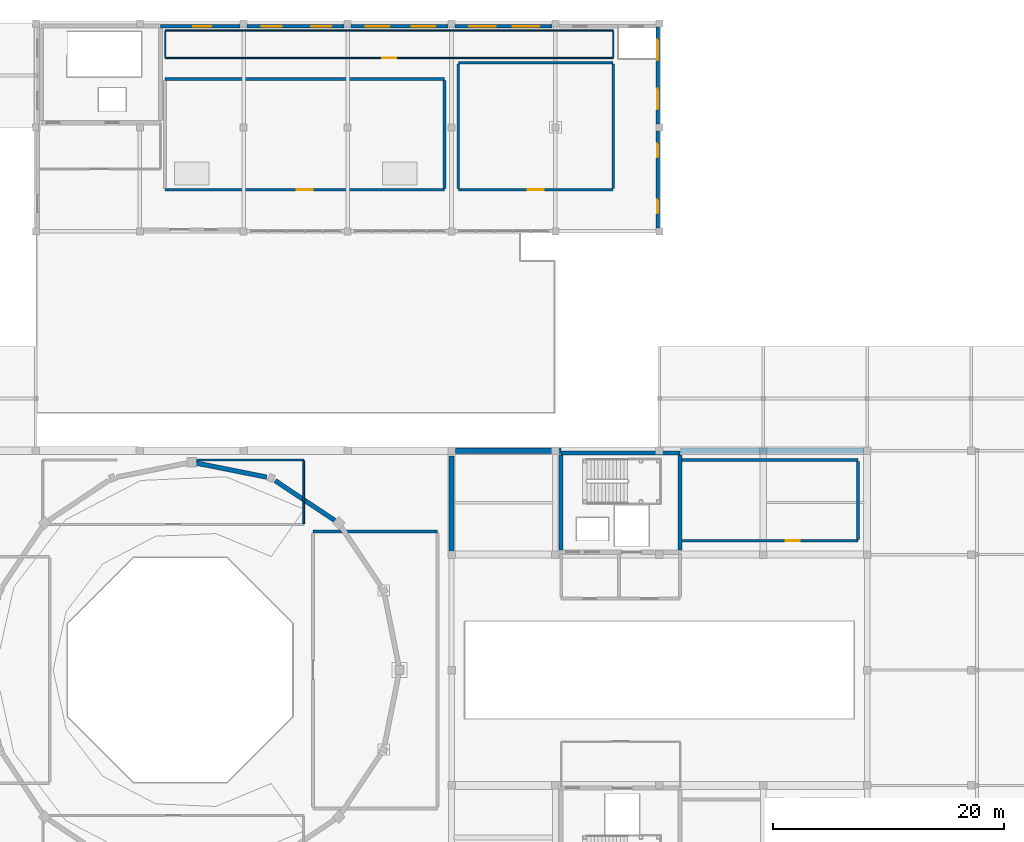
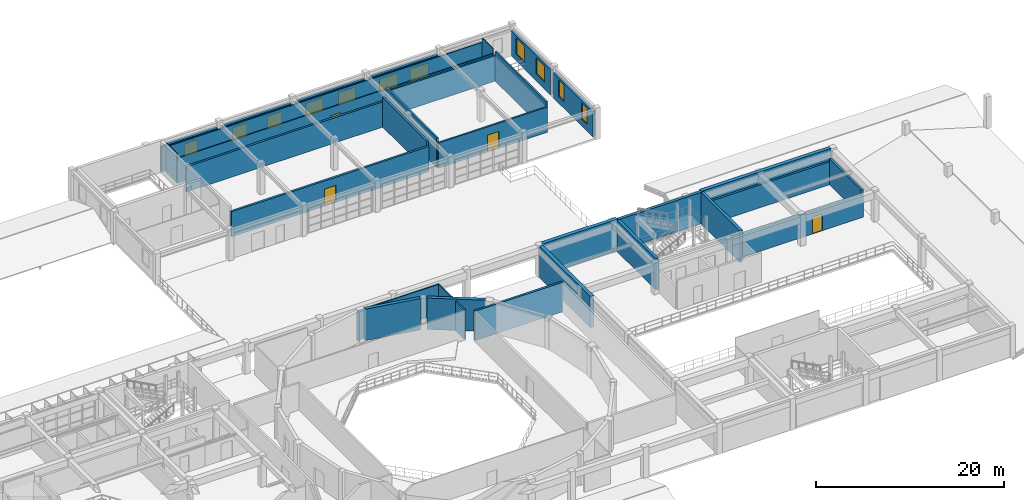
# One storey, part 72 of 80: 31 walls, 11 windows, 4 doors, 15 openings.
"""IFC4 building model written with IfcOpenShell, lengths in metres."""

from ifc_helpers import new_model, si_unit, direction, frame, frame_2d, origin, place, context, subcontext, project, spatial, rectangle, extrude, material, layer, layer_set, type_object, element, fill, save


model = new_model("IFC4")

# Units and contexts
model_context = context("Model", 3, precision=1e-05, world=origin(), true_north=direction((0.0, 1.0)))
body_context = subcontext(model_context, "Body", "Model", "MODEL_VIEW")
ifc_project = project(units=[si_unit("LENGTHUNIT", "METRE"), si_unit("AREAUNIT", "SQUARE_METRE"), si_unit("VOLUMEUNIT", "CUBIC_METRE"), si_unit("PLANEANGLEUNIT", "RADIAN"), si_unit("MASSUNIT", "GRAM", prefix="KILO")], contexts=[model_context])

# Site, building, storey
site_placement = place(None, origin())
site = spatial("IfcSite", under=ifc_project, at=site_placement, CompositionType="ELEMENT")
building_placement = place(site_placement, origin())
building = spatial("IfcBuilding", under=site, at=building_placement, Name="Miravela Opera House", CompositionType="ELEMENT")
storey_placement = place(building_placement, frame((0.0, 0.0, 17.679931640625)))
storey = spatial("IfcBuildingStorey", under=building, at=storey_placement, Name="L04", CompositionType="ELEMENT", Elevation=17.679931640625)

# Wall, opening, window
ifc_material_1 = material(Name="Insulated cream lime-stuccoed masonry", Category="masonry")
ifc_layer_1 = layer(ifc_material_1, 0.2900390625)
ifc_layer_set_1 = layer_set([ifc_layer_1])
wall_type_1 = type_object("IfcWallType", Name="ARC-EW-STUCCO-290", PredefinedType="STANDARD", material=ifc_layer_set_1)
wall_1_placement = place(storey_placement, frame((73.800048828125, 111.75, 0.0), z_axis=(0.0, 0.0, 1.0), x_axis=(1.0, 0.0, 0.0)))
wall_1 = element("IfcWall", 1, at=wall_1_placement, inside=storey, type_object=wall_type_1, Name="Spanish Colonial Stucco Facade Wall L04-053", PredefinedType="STANDARD", context=body_context, shape_type="SweptSolid", body=[
    extrude(rectangle(XDim=6.89990234375, YDim=0.2900390625, at=frame_2d((3.449951171875, 0.0))), origin(), (0.0, 0.0, 1.0), 3.277099609375),
])
opening_1_placement = place(wall_1_placement, frame((2.844970703125, 0.0, 0.89990234375)))
opening_1 = element("IfcOpeningElement", 2, at=opening_1_placement, cuts=wall_1, Name="Opening W-31", PredefinedType="OPENING", context=body_context, shape_type="SweptSolid", body=[
    extrude(rectangle(XDim=1.56005859375, YDim=1.719970703125, at=frame_2d((0.780029296875, 0.85986328125))), frame((0.0, 0.155029296875, 0.0), z_axis=(0.0, -1.0, 0.0), x_axis=(1.0, 0.0, 0.0)), (0.0, 0.0, 1.0), 0.31005859375),
])
ifc_material_2 = material(Name="Bronze-anodised aluminium and acoustic low-E glass", Category="aluminium")
window_type_1 = type_object("IfcWindowType", Name="ARC-WIN-31", PartitioningType="DOUBLE_PANEL_VERTICAL", PredefinedType="WINDOW", material=ifc_material_2)
window_1_placement = place(opening_1_placement, origin())
window_1 = element("IfcWindow", 3, at=window_1_placement, inside=storey, type_object=window_type_1, Name="Window W-31 #126", OverallHeight=1.719970703125, OverallWidth=1.56005859375, PartitioningType="DOUBLE_PANEL_VERTICAL", PredefinedType="WINDOW", context=body_context, shape_type="SweptSolid", body=[
    extrude(rectangle(XDim=1.56005859375, YDim=1.719970703125, at=frame_2d((0.780029296875, 0.85986328125))), frame((0.0, 0.030029296875, 0.0), z_axis=(0.0, -1.0, 0.0), x_axis=(1.0, 0.0, 0.0)), (0.0, 0.0, 1.0), 0.06005859375),
])
fill(opening_1, window_1)

# Wall, openings, windows
wall_2_placement = place(storey_placement, frame((81.300048828125, 111.75, 0.0), z_axis=(0.0, 0.0, 1.0), x_axis=(1.0, 0.0, 0.0)))
wall_2 = element("IfcWall", 4, at=wall_2_placement, inside=storey, type_object=wall_type_1, Name="Spanish Colonial Stucco Facade Wall L04-054", PredefinedType="STANDARD", context=body_context, shape_type="SweptSolid", body=[
    extrude(rectangle(XDim=8.39990234375, YDim=0.2900390625, at=frame_2d((4.199951171875, 0.0))), origin(), (0.0, 0.0, 1.0), 3.277099609375),
])
opening_2_placement = place(wall_2_placement, frame((1.25, 0.0, 0.89990234375)))
opening_2 = element("IfcOpeningElement", 5, at=opening_2_placement, cuts=wall_2, Name="Opening W-32", PredefinedType="OPENING", context=body_context, shape_type="SweptSolid", body=[
    extrude(rectangle(XDim=1.760009765625, YDim=1.719970703125, at=frame_2d((0.8798828125, 0.85986328125))), frame((0.0, 0.155029296875, 0.0), z_axis=(0.0, -1.0, 0.0), x_axis=(1.0, 0.0, 0.0)), (0.0, 0.0, 1.0), 0.31005859375),
])
opening_3_placement = place(wall_2_placement, frame((5.5400390625, 0.0, 0.89990234375)))
opening_3 = element("IfcOpeningElement", 6, at=opening_3_placement, cuts=wall_2, Name="Opening W-32", PredefinedType="OPENING", context=body_context, shape_type="SweptSolid", body=[
    extrude(rectangle(XDim=1.760009765625, YDim=1.719970703125, at=frame_2d((0.8798828125, 0.85986328125))), frame((0.0, 0.155029296875, 0.0), z_axis=(0.0, -1.0, 0.0), x_axis=(1.0, 0.0, 0.0)), (0.0, 0.0, 1.0), 0.31005859375),
])
window_type_2 = type_object("IfcWindowType", Name="ARC-WIN-32", PartitioningType="DOUBLE_PANEL_VERTICAL", PredefinedType="WINDOW", material=ifc_material_2)
window_2_placement = place(opening_2_placement, origin())
window_2 = element("IfcWindow", 7, at=window_2_placement, inside=storey, type_object=window_type_2, Name="Window W-32 #127", OverallHeight=1.719970703125, OverallWidth=1.760009765625, PartitioningType="DOUBLE_PANEL_VERTICAL", PredefinedType="WINDOW", context=body_context, shape_type="SweptSolid", body=[
    extrude(rectangle(XDim=1.760009765625, YDim=1.719970703125, at=frame_2d((0.8798828125, 0.85986328125))), frame((0.0, 0.030029296875, 0.0), z_axis=(0.0, -1.0, 0.0), x_axis=(1.0, 0.0, 0.0)), (0.0, 0.0, 1.0), 0.06005859375),
])
fill(opening_2, window_2)
window_3_placement = place(opening_3_placement, origin())
window_3 = element("IfcWindow", 8, at=window_3_placement, inside=storey, type_object=window_type_2, Name="Window W-32 #128", OverallHeight=1.719970703125, OverallWidth=1.760009765625, PartitioningType="DOUBLE_PANEL_VERTICAL", PredefinedType="WINDOW", context=body_context, shape_type="SweptSolid", body=[
    extrude(rectangle(XDim=1.760009765625, YDim=1.719970703125, at=frame_2d((0.8798828125, 0.85986328125))), frame((0.0, 0.030029296875, 0.0), z_axis=(0.0, -1.0, 0.0), x_axis=(1.0, 0.0, 0.0)), (0.0, 0.0, 1.0), 0.06005859375),
])
fill(opening_3, window_3)

wall_3_placement = place(storey_placement, frame((90.300048828125, 111.75, 0.0), z_axis=(0.0, 0.0, 1.0), x_axis=(1.0, 0.0, 0.0)))
wall_3 = element("IfcWall", 9, at=wall_3_placement, inside=storey, type_object=wall_type_1, Name="Spanish Colonial Stucco Facade Wall L04-055", PredefinedType="STANDARD", context=body_context, shape_type="SweptSolid", body=[
    extrude(rectangle(XDim=8.39990234375, YDim=0.2900390625, at=frame_2d((4.199951171875, 0.0))), origin(), (0.0, 0.0, 1.0), 3.277099609375),
])
opening_4_placement = place(wall_3_placement, frame((1.25, 0.0, 0.89990234375)))
opening_4 = element("IfcOpeningElement", 10, at=opening_4_placement, cuts=wall_3, Name="Opening W-33", PredefinedType="OPENING", context=body_context, shape_type="SweptSolid", body=[
    extrude(rectangle(XDim=2.06005859375, YDim=1.719970703125, at=frame_2d((1.030029296875, 0.85986328125))), frame((0.0, 0.155029296875, 0.0), z_axis=(0.0, -1.0, 0.0), x_axis=(1.0, 0.0, 0.0)), (0.0, 0.0, 1.0), 0.31005859375),
])
opening_5_placement = place(wall_3_placement, frame((5.239990234375, 0.0, 0.89990234375)))
opening_5 = element("IfcOpeningElement", 11, at=opening_5_placement, cuts=wall_3, Name="Opening W-33", PredefinedType="OPENING", context=body_context, shape_type="SweptSolid", body=[
    extrude(rectangle(XDim=2.06005859375, YDim=1.719970703125, at=frame_2d((1.030029296875, 0.85986328125))), frame((0.0, 0.155029296875, 0.0), z_axis=(0.0, -1.0, 0.0), x_axis=(1.0, 0.0, 0.0)), (0.0, 0.0, 1.0), 0.31005859375),
])
window_type_3 = type_object("IfcWindowType", Name="ARC-WIN-33", PartitioningType="DOUBLE_PANEL_VERTICAL", PredefinedType="WINDOW", material=ifc_material_2)
window_4_placement = place(opening_4_placement, origin())
window_4 = element("IfcWindow", 12, at=window_4_placement, inside=storey, type_object=window_type_3, Name="Window W-33 #129", OverallHeight=1.719970703125, OverallWidth=2.06005859375, PartitioningType="DOUBLE_PANEL_VERTICAL", PredefinedType="WINDOW", context=body_context, shape_type="SweptSolid", body=[
    extrude(rectangle(XDim=2.06005859375, YDim=1.719970703125, at=frame_2d((1.030029296875, 0.85986328125))), frame((0.0, 0.030029296875, 0.0), z_axis=(0.0, -1.0, 0.0), x_axis=(1.0, 0.0, 0.0)), (0.0, 0.0, 1.0), 0.06005859375),
])
fill(opening_4, window_4)
window_5_placement = place(opening_5_placement, origin())
window_5 = element("IfcWindow", 13, at=window_5_placement, inside=storey, type_object=window_type_3, Name="Window W-33 #130", OverallHeight=1.719970703125, OverallWidth=2.06005859375, PartitioningType="DOUBLE_PANEL_VERTICAL", PredefinedType="WINDOW", context=body_context, shape_type="SweptSolid", body=[
    extrude(rectangle(XDim=2.06005859375, YDim=1.719970703125, at=frame_2d((1.030029296875, 0.85986328125))), frame((0.0, 0.030029296875, 0.0), z_axis=(0.0, -1.0, 0.0), x_axis=(1.0, 0.0, 0.0)), (0.0, 0.0, 1.0), 0.06005859375),
])
fill(opening_5, window_5)

wall_4_placement = place(storey_placement, frame((99.300048828125, 111.75, 0.0), z_axis=(0.0, 0.0, 1.0), x_axis=(1.0, 0.0, 0.0)))
wall_4 = element("IfcWall", 14, at=wall_4_placement, inside=storey, type_object=wall_type_1, Name="Spanish Colonial Stucco Facade Wall L04-056", PredefinedType="STANDARD", context=body_context, shape_type="SweptSolid", body=[
    extrude(rectangle(XDim=8.39990234375, YDim=0.2900390625, at=frame_2d((4.199951171875, 0.0))), origin(), (0.0, 0.0, 1.0), 3.277099609375),
])
opening_6_placement = place(wall_4_placement, frame((1.25, 0.0, 0.89990234375)))
opening_6 = element("IfcOpeningElement", 15, at=opening_6_placement, cuts=wall_4, Name="Opening W-34", PredefinedType="OPENING", context=body_context, shape_type="SweptSolid", body=[
    extrude(rectangle(XDim=2.280029296875, YDim=1.719970703125, at=frame_2d((1.14013671875, 0.85986328125))), frame((0.0, 0.155029296875, 0.0), z_axis=(0.0, -1.0, 0.0), x_axis=(1.0, 0.0, 0.0)), (0.0, 0.0, 1.0), 0.31005859375),
])
opening_7_placement = place(wall_4_placement, frame((5.02001953125, 0.0, 0.89990234375)))
opening_7 = element("IfcOpeningElement", 16, at=opening_7_placement, cuts=wall_4, Name="Opening W-34", PredefinedType="OPENING", context=body_context, shape_type="SweptSolid", body=[
    extrude(rectangle(XDim=2.280029296875, YDim=1.719970703125, at=frame_2d((1.14013671875, 0.85986328125))), frame((0.0, 0.155029296875, 0.0), z_axis=(0.0, -1.0, 0.0), x_axis=(1.0, 0.0, 0.0)), (0.0, 0.0, 1.0), 0.31005859375),
])
window_type_4 = type_object("IfcWindowType", Name="ARC-WIN-34", PartitioningType="TRIPLE_PANEL_VERTICAL", PredefinedType="WINDOW", material=ifc_material_2)
window_6_placement = place(opening_6_placement, origin())
window_6 = element("IfcWindow", 17, at=window_6_placement, inside=storey, type_object=window_type_4, Name="Window W-34 #131", OverallHeight=1.719970703125, OverallWidth=2.280029296875, PartitioningType="TRIPLE_PANEL_VERTICAL", PredefinedType="WINDOW", context=body_context, shape_type="SweptSolid", body=[
    extrude(rectangle(XDim=2.280029296875, YDim=1.719970703125, at=frame_2d((1.14013671875, 0.85986328125))), frame((0.0, 0.030029296875, 0.0), z_axis=(0.0, -1.0, 0.0), x_axis=(1.0, 0.0, 0.0)), (0.0, 0.0, 1.0), 0.06005859375),
])
fill(opening_6, window_6)
window_7_placement = place(opening_7_placement, origin())
window_7 = element("IfcWindow", 18, at=window_7_placement, inside=storey, type_object=window_type_4, Name="Window W-34 #132", OverallHeight=1.719970703125, OverallWidth=2.280029296875, PartitioningType="TRIPLE_PANEL_VERTICAL", PredefinedType="WINDOW", context=body_context, shape_type="SweptSolid", body=[
    extrude(rectangle(XDim=2.280029296875, YDim=1.719970703125, at=frame_2d((1.14013671875, 0.85986328125))), frame((0.0, 0.030029296875, 0.0), z_axis=(0.0, -1.0, 0.0), x_axis=(1.0, 0.0, 0.0)), (0.0, 0.0, 1.0), 0.06005859375),
])
fill(opening_7, window_7)

wall_5_placement = place(storey_placement, frame((116.85009765625, 94.300048828125, 0.0), z_axis=(0.0, 0.0, 1.0), x_axis=(0.0, 1.0, 0.0)))
wall_5 = element("IfcWall", 19, at=wall_5_placement, inside=storey, type_object=wall_type_1, Name="Spanish Colonial Stucco Facade Wall L04-059", PredefinedType="STANDARD", context=body_context, shape_type="SweptSolid", body=[
    extrude(rectangle(XDim=8.39990234375, YDim=0.2900390625, at=frame_2d((4.199951171875, 0.0))), origin(), (0.0, 0.0, 1.0), 3.277099609375),
])
opening_8_placement = place(wall_5_placement, frame((1.25, 0.0, 0.89990234375)))
opening_8 = element("IfcOpeningElement", 20, at=opening_8_placement, cuts=wall_5, Name="Opening W-01", PredefinedType="OPENING", context=body_context, shape_type="SweptSolid", body=[
    extrude(rectangle(XDim=1.199951171875, YDim=2.10009765625, at=frame_2d((0.60009765625, 1.050048828125))), frame((0.0, 0.155029296875, 0.0), z_axis=(0.0, -1.0, 0.0), x_axis=(1.0, 0.0, 0.0)), (0.0, 0.0, 1.0), 0.31005859375),
])
opening_9_placement = place(wall_5_placement, frame((6.10009765625, 0.0, 0.89990234375)))
opening_9 = element("IfcOpeningElement", 21, at=opening_9_placement, cuts=wall_5, Name="Opening W-01", PredefinedType="OPENING", context=body_context, shape_type="SweptSolid", body=[
    extrude(rectangle(XDim=1.199951171875, YDim=2.10009765625, at=frame_2d((0.60009765625, 1.050048828125))), frame((0.0, 0.155029296875, 0.0), z_axis=(0.0, -1.0, 0.0), x_axis=(1.0, 0.0, 0.0)), (0.0, 0.0, 1.0), 0.31005859375),
])
window_type_5 = type_object("IfcWindowType", Name="ARC-WIN-01", PartitioningType="SINGLE_PANEL", PredefinedType="WINDOW", material=ifc_material_2)
window_8_placement = place(opening_8_placement, origin())
window_8 = element("IfcWindow", 22, at=window_8_placement, inside=storey, type_object=window_type_5, Name="Window W-01 #136", OverallHeight=2.10009765625, OverallWidth=1.199951171875, PartitioningType="SINGLE_PANEL", PredefinedType="WINDOW", context=body_context, shape_type="SweptSolid", body=[
    extrude(rectangle(XDim=1.199951171875, YDim=2.10009765625, at=frame_2d((0.60009765625, 1.050048828125))), frame((0.0, 0.030029296875, 0.0), z_axis=(0.0, -1.0, 0.0), x_axis=(1.0, 0.0, 0.0)), (0.0, 0.0, 1.0), 0.06005859375),
])
fill(opening_8, window_8)
window_9_placement = place(opening_9_placement, origin())
window_9 = element("IfcWindow", 23, at=window_9_placement, inside=storey, type_object=window_type_5, Name="Window W-01 #137", OverallHeight=2.10009765625, OverallWidth=1.199951171875, PartitioningType="SINGLE_PANEL", PredefinedType="WINDOW", context=body_context, shape_type="SweptSolid", body=[
    extrude(rectangle(XDim=1.199951171875, YDim=2.10009765625, at=frame_2d((0.60009765625, 1.050048828125))), frame((0.0, 0.030029296875, 0.0), z_axis=(0.0, -1.0, 0.0), x_axis=(1.0, 0.0, 0.0)), (0.0, 0.0, 1.0), 0.06005859375),
])
fill(opening_9, window_9)

wall_6_placement = place(storey_placement, frame((116.85009765625, 103.300048828125, 0.0), z_axis=(0.0, 0.0, 1.0), x_axis=(0.0, 1.0, 0.0)))
wall_6 = element("IfcWall", 24, at=wall_6_placement, inside=storey, type_object=wall_type_1, Name="Spanish Colonial Stucco Facade Wall L04-061", PredefinedType="STANDARD", context=body_context, shape_type="SweptSolid", body=[
    extrude(rectangle(XDim=8.39990234375, YDim=0.2900390625, at=frame_2d((4.199951171875, 0.0))), origin(), (0.0, 0.0, 1.0), 3.277099609375),
])
opening_10_placement = place(wall_6_placement, frame((1.25, 0.0, 0.89990234375)))
opening_10 = element("IfcOpeningElement", 25, at=opening_10_placement, cuts=wall_6, Name="Opening W-03", PredefinedType="OPENING", context=body_context, shape_type="SweptSolid", body=[
    extrude(rectangle(XDim=1.800048828125, YDim=2.10009765625, at=frame_2d((0.89990234375, 1.050048828125))), frame((0.0, 0.155029296875, 0.0), z_axis=(0.0, -1.0, 0.0), x_axis=(1.0, 0.0, 0.0)), (0.0, 0.0, 1.0), 0.31005859375),
])
opening_11_placement = place(wall_6_placement, frame((5.5, 0.0, 0.89990234375)))
opening_11 = element("IfcOpeningElement", 26, at=opening_11_placement, cuts=wall_6, Name="Opening W-03", PredefinedType="OPENING", context=body_context, shape_type="SweptSolid", body=[
    extrude(rectangle(XDim=1.800048828125, YDim=2.10009765625, at=frame_2d((0.89990234375, 1.050048828125))), frame((0.0, 0.155029296875, 0.0), z_axis=(0.0, -1.0, 0.0), x_axis=(1.0, 0.0, 0.0)), (0.0, 0.0, 1.0), 0.31005859375),
])
window_type_6 = type_object("IfcWindowType", Name="ARC-WIN-03", PartitioningType="DOUBLE_PANEL_VERTICAL", PredefinedType="WINDOW", material=ifc_material_2)
window_10_placement = place(opening_10_placement, origin())
window_10 = element("IfcWindow", 27, at=window_10_placement, inside=storey, type_object=window_type_6, Name="Window W-03 #140", OverallHeight=2.10009765625, OverallWidth=1.800048828125, PartitioningType="DOUBLE_PANEL_VERTICAL", PredefinedType="WINDOW", context=body_context, shape_type="SweptSolid", body=[
    extrude(rectangle(XDim=1.800048828125, YDim=2.10009765625, at=frame_2d((0.89990234375, 1.050048828125))), frame((0.0, 0.030029296875, 0.0), z_axis=(0.0, -1.0, 0.0), x_axis=(1.0, 0.0, 0.0)), (0.0, 0.0, 1.0), 0.06005859375),
])
fill(opening_10, window_10)
window_11_placement = place(opening_11_placement, origin())
window_11 = element("IfcWindow", 28, at=window_11_placement, inside=storey, type_object=window_type_6, Name="Window W-03 #141", OverallHeight=2.10009765625, OverallWidth=1.800048828125, PartitioningType="DOUBLE_PANEL_VERTICAL", PredefinedType="WINDOW", context=body_context, shape_type="SweptSolid", body=[
    extrude(rectangle(XDim=1.800048828125, YDim=2.10009765625, at=frame_2d((0.89990234375, 1.050048828125))), frame((0.0, 0.030029296875, 0.0), z_axis=(0.0, -1.0, 0.0), x_axis=(1.0, 0.0, 0.0)), (0.0, 0.0, 1.0), 0.06005859375),
])
fill(opening_11, window_11)

# Wall, opening, door
ifc_material_3 = material(Name="Double-layer acoustic gypsum partition")
ifc_layer_2 = layer(ifc_material_3, 0.110107421875)
ifc_layer_set_2 = layer_set([ifc_layer_2])
wall_type_2 = type_object("IfcWallType", Name="ARC-PT-110", PredefinedType="PARTITIONING", material=ifc_layer_set_2)
wall_7_placement = place(storey_placement, frame((74.199951171875, 109.0, 0.0), z_axis=(0.0, 0.0, 1.0), x_axis=(1.0, 0.0, 0.0)))
wall_7 = element("IfcWall", 29, at=wall_7_placement, inside=storey, type_object=wall_type_2, Name="Rare Manuscripts Conservation Laboratory Partition South", PredefinedType="PARTITIONING", context=body_context, shape_type="SweptSolid", body=[
    extrude(rectangle(XDim=38.800048828125, YDim=0.110107421875, at=frame_2d((19.39990234375, 0.0))), origin(), (0.0, 0.0, 1.0), 3.277099609375),
])
opening_12_placement = place(wall_7_placement, frame((18.800048828125, 0.0, 0.0)))
opening_12 = element("IfcOpeningElement", 30, at=opening_12_placement, cuts=wall_7, Name="Opening FD-02", PredefinedType="OPENING", context=body_context, shape_type="SweptSolid", body=[
    extrude(rectangle(XDim=1.199951171875, YDim=2.199951171875, at=frame_2d((0.60009765625, 1.10009765625))), frame((0.0, 0.06494140625, 0.0), z_axis=(0.0, -1.0, 0.0), x_axis=(1.0, 0.0, 0.0)), (0.0, 0.0, 1.0), 0.130126953125),
])
ifc_material_4 = material(Name="Fire-rated gallery/plant exit door")
door_type_1 = type_object("IfcDoorType", Name="ARC-FD-1200X2200", OperationType="NOTDEFINED", PredefinedType="DOOR", material=ifc_material_4)
door_1_placement = place(opening_12_placement, frame((1.199951171875, 0.0, 0.0), z_axis=(0.0, 0.0, 1.0), x_axis=(-1.0, 0.0, 0.0)))
door_1 = element("IfcDoor", 31, at=door_1_placement, inside=storey, type_object=door_type_1, Name="Rare Manuscripts Conservation Laboratory Entry Door IDR-L04-0320", OperationType="SINGLE_SWING_RIGHT", OverallHeight=2.199951171875, OverallWidth=1.199951171875, PredefinedType="DOOR", context=body_context, shape_type="SweptSolid", body=[
    extrude(rectangle(XDim=1.199951171875, YDim=2.199951171875, at=frame_2d((0.60009765625, 1.10009765625))), frame((0.0, 0.02490234375, 0.0), z_axis=(0.0, -1.0, 0.0), x_axis=(1.0, 0.0, 0.0)), (0.0, 0.0, 1.0), 0.050048828125),
])
fill(opening_12, door_1)

# Walls
wall_8_placement = place(storey_placement, frame((74.199951171875, 111.39990234375, 0.0), z_axis=(0.0, 0.0, 1.0), x_axis=(1.0, 0.0, 0.0)))
element("IfcWall", 32, at=wall_8_placement, inside=storey, type_object=wall_type_2, Name="Rare Manuscripts Conservation Laboratory Partition North", PredefinedType="PARTITIONING", context=body_context, shape_type="SweptSolid", body=[
    extrude(rectangle(XDim=38.800048828125, YDim=0.110107421875, at=frame_2d((19.39990234375, 0.0))), origin(), (0.0, 0.0, 1.0), 3.277099609375),
])
for number, where, z_axis, x_axis, name in (
    (33, (74.199951171875, 109.054931640625, 0.0), (0.0, 0.0, 1.0), (0.0, 1.0, 0.0), "Rare Manuscripts Conservation Laboratory Partition West"),
    (34, (113.0, 109.054931640625, 0.0), (0.0, 0.0, 1.0), (0.0, 1.0, 0.0), "Rare Manuscripts Conservation Laboratory Partition East"),
):
    element("IfcWall", number, at=place(storey_placement, frame(where, z_axis=z_axis, x_axis=x_axis)), inside=storey, type_object=wall_type_2, Name=name, PredefinedType="PARTITIONING", context=body_context, shape_type="SweptSolid", body=[
        extrude(rectangle(XDim=2.2900390625, YDim=0.110107421875, at=frame_2d((1.14501953125, 0.0))), origin(), (0.0, 0.0, 1.0), 3.840087890625),
    ])
ifc_material_5 = material(Name="Studio double-stud acoustic partition")
ifc_layer_3 = layer(ifc_material_5, 0.14990234375)
ifc_layer_set_3 = layer_set([ifc_layer_3])
wall_type_3 = type_object("IfcWallType", Name="ARC-PT-145", PredefinedType="PARTITIONING", material=ifc_layer_set_3)
wall_9_placement = place(storey_placement, frame((76.107666015625, 74.199951171875, 0.0), z_axis=(0.0, 0.0, 1.0), x_axis=(1.0, 0.0, 0.0)))
element("IfcWall", 35, at=wall_9_placement, inside=storey, type_object=wall_type_3, Name="Television Lighting Control Studio Partition North 2", PredefinedType="PARTITIONING", context=body_context, shape_type="SweptSolid", body=[
    extrude(rectangle(XDim=10.09228515625, YDim=0.14990234375, at=frame_2d((5.046142578125, 0.0))), origin(), (0.0, 0.0, 1.0), 3.840087890625),
])
wall_10_placement = place(storey_placement, frame((86.199951171875, 68.675048828125, 0.0), z_axis=(0.0, 0.0, 1.0), x_axis=(0.0, 1.0, 0.0)))
element("IfcWall", 36, at=wall_10_placement, inside=storey, type_object=wall_type_3, Name="Television Lighting Control Studio Partition East", PredefinedType="PARTITIONING", context=body_context, shape_type="SweptSolid", body=[
    extrude(rectangle(XDim=5.449951171875, YDim=0.14990234375, at=frame_2d((2.72509765625, 0.0))), origin(), (0.0, 0.0, 1.0), 3.840087890625),
])

# Wall, opening, door
ifc_material_6 = material(Name="Workshop fire-resisting block partition")
ifc_layer_4 = layer(ifc_material_6, 0.2099609375)
ifc_layer_set_4 = layer_set([ifc_layer_4])
wall_type_4 = type_object("IfcWallType", Name="ARC-PT-210", PredefinedType="PARTITIONING", material=ifc_layer_set_4)
wall_11_placement = place(storey_placement, frame((99.60009765625, 97.60009765625, 0.0), z_axis=(0.0, 0.0, 1.0), x_axis=(1.0, 0.0, 0.0)))
wall_11 = element("IfcWall", 37, at=wall_11_placement, inside=storey, type_object=wall_type_4, Name="Endowment Boardroom and Patron Salon Partition South", PredefinedType="PARTITIONING", context=body_context, shape_type="SweptSolid", body=[
    extrude(rectangle(XDim=13.39990234375, YDim=0.2099609375, at=frame_2d((6.699951171875, 0.0))), origin(), (0.0, 0.0, 1.0), 3.277099609375),
])
opening_13_placement = place(wall_11_placement, frame((6.0, 0.0, 0.0)))
opening_13 = element("IfcOpeningElement", 38, at=opening_13_placement, cuts=wall_11, Name="Opening ID-05", PredefinedType="OPENING", context=body_context, shape_type="SweptSolid", body=[
    extrude(rectangle(XDim=1.39990234375, YDim=2.199951171875, at=frame_2d((0.699951171875, 1.10009765625))), frame((0.0, 0.114990234375, 0.0), z_axis=(0.0, -1.0, 0.0), x_axis=(1.0, 0.0, 0.0)), (0.0, 0.0, 1.0), 0.22998046875),
])
ifc_material_7 = material(Name="Double-leaf glazed mahogany salon door")
door_type_2 = type_object("IfcDoorType", Name="ARC-DR-1400X2200", OperationType="NOTDEFINED", PredefinedType="DOOR", material=ifc_material_7)
door_2_placement = place(opening_13_placement, origin())
door_2 = element("IfcDoor", 39, at=door_2_placement, inside=storey, type_object=door_type_2, Name="Endowment Boardroom and Patron Salon Entry Door IDR-L04-0316", OperationType="DOUBLE_DOOR_SINGLE_SWING", OverallHeight=2.199951171875, OverallWidth=1.39990234375, PredefinedType="DOOR", context=body_context, shape_type="SweptSolid", body=[
    extrude(rectangle(XDim=1.39990234375, YDim=2.199951171875, at=frame_2d((0.699951171875, 1.10009765625))), frame((0.0, 0.02490234375, 0.0), z_axis=(0.0, -1.0, 0.0), x_axis=(1.0, 0.0, 0.0)), (0.0, 0.0, 1.0), 0.050048828125),
])
fill(opening_13, door_2)

# Walls
wall_12_placement = place(storey_placement, frame((99.60009765625, 108.60009765625, 0.0), z_axis=(0.0, 0.0, 1.0), x_axis=(1.0, 0.0, 0.0)))
element("IfcWall", 40, at=wall_12_placement, inside=storey, type_object=wall_type_4, Name="Endowment Boardroom and Patron Salon Partition North", PredefinedType="PARTITIONING", context=body_context, shape_type="SweptSolid", body=[
    extrude(rectangle(XDim=13.39990234375, YDim=0.2099609375, at=frame_2d((6.699951171875, 0.0))), origin(), (0.0, 0.0, 1.0), 3.277099609375),
])
for number, where, z_axis, x_axis, name in (
    (41, (99.60009765625, 97.705078125, 0.0), (0.0, 0.0, 1.0), (0.0, 1.0, 0.0), "Endowment Boardroom and Patron Salon Partition West"),
    (42, (113.0, 97.705078125, 0.0), (0.0, 0.0, 1.0), (0.0, 1.0, 0.0), "Endowment Boardroom and Patron Salon Partition East"),
):
    element("IfcWall", number, at=place(storey_placement, frame(where, z_axis=z_axis, x_axis=x_axis)), inside=storey, type_object=wall_type_4, Name=name, PredefinedType="PARTITIONING", context=body_context, shape_type="SweptSolid", body=[
        extrude(rectangle(XDim=10.7900390625, YDim=0.2099609375, at=frame_2d((5.39501953125, 0.0))), origin(), (0.0, 0.0, 1.0), 3.840087890625),
    ])
ifc_material_8 = material(Name="Firefighting lobby compartment wall")
ifc_layer_5 = layer(ifc_material_8, 0.25)
ifc_layer_set_5 = layer_set([ifc_layer_5])
wall_type_5 = type_object("IfcWallType", Name="ARC-PT-220", PredefinedType="PARTITIONING", material=ifc_layer_set_5)
wall_13_placement = place(storey_placement, frame((87.0, 68.0, 0.0), z_axis=(0.0, 0.0, 1.0), x_axis=(1.0, 0.0, 0.0)))
element("IfcWall", 43, at=wall_13_placement, inside=storey, type_object=wall_type_5, Name="Opera Auditorium Amphitheatre Gallery Partition North", PredefinedType="PARTITIONING", context=body_context, shape_type="SweptSolid", body=[
    extrude(rectangle(XDim=10.800048828125, YDim=0.25, at=frame_2d((5.39990234375, 0.0))), origin(), (0.0, 0.0, 1.0), 3.840087890625),
])

# Wall, opening, door
wall_14_placement = place(storey_placement, frame((118.97509765625, 67.199951171875, 0.0), z_axis=(0.0, 0.0, 1.0), x_axis=(1.0, 0.0, 0.0)))
wall_14 = element("IfcWall", 44, at=wall_14_placement, inside=storey, type_object=wall_type_5, Name="Stage Upper Fly Rigging Gallery L04 Partition South", PredefinedType="PARTITIONING", context=body_context, shape_type="SweptSolid", body=[
    extrude(rectangle(XDim=15.224853515625, YDim=0.25, at=frame_2d((7.6123046875, 0.0))), origin(), (0.0, 0.0, 1.0), 2.969970703125),
])
opening_14_placement = place(wall_14_placement, frame((8.990234375, 0.0, 0.0)))
opening_14 = element("IfcOpeningElement", 45, at=opening_14_placement, cuts=wall_14, Name="Opening FD-02", PredefinedType="OPENING", context=body_context, shape_type="SweptSolid", body=[
    extrude(rectangle(XDim=1.199951171875, YDim=2.199951171875, at=frame_2d((0.60009765625, 1.10009765625))), frame((0.0, 0.135009765625, 0.0), z_axis=(0.0, -1.0, 0.0), x_axis=(1.0, 0.0, 0.0)), (0.0, 0.0, 1.0), 0.27001953125),
])
door_3_placement = place(opening_14_placement, origin())
door_3 = element("IfcDoor", 46, at=door_3_placement, inside=storey, type_object=door_type_1, Name="Stage Upper Fly Rigging Gallery L04 Entry Door IDR-L04-0313", OperationType="SINGLE_SWING_RIGHT", OverallHeight=2.199951171875, OverallWidth=1.199951171875, PredefinedType="DOOR", context=body_context, shape_type="SweptSolid", body=[
    extrude(rectangle(XDim=1.199951171875, YDim=2.199951171875, at=frame_2d((0.60009765625, 1.10009765625))), frame((0.0, 0.02490234375, 0.0), z_axis=(0.0, -1.0, 0.0), x_axis=(1.0, 0.0, 0.0)), (0.0, 0.0, 1.0), 0.050048828125),
])
fill(opening_14, door_3)

# Walls
wall_15_placement = place(storey_placement, frame((118.97509765625, 74.199951171875, 0.0), z_axis=(0.0, 0.0, 1.0), x_axis=(1.0, 0.0, 0.0)))
element("IfcWall", 47, at=wall_15_placement, inside=storey, type_object=wall_type_5, Name="Stage Upper Fly Rigging Gallery L04 Partition North", PredefinedType="PARTITIONING", context=body_context, shape_type="SweptSolid", body=[
    extrude(rectangle(XDim=15.224853515625, YDim=0.25, at=frame_2d((7.6123046875, 0.0))), origin(), (0.0, 0.0, 1.0), 2.969970703125),
])
wall_16_placement = place(storey_placement, frame((134.199951171875, 67.324951171875, 0.0), z_axis=(0.0, 0.0, 1.0), x_axis=(0.0, 1.0, 0.0)))
element("IfcWall", 48, at=wall_16_placement, inside=storey, type_object=wall_type_5, Name="Stage Upper Fly Rigging Gallery L04 Partition East", PredefinedType="PARTITIONING", context=body_context, shape_type="SweptSolid", body=[
    extrude(rectangle(XDim=6.75, YDim=0.25, at=frame_2d((3.375, 0.0))), origin(), (0.0, 0.0, 1.0), 3.403076171875),
])

# Wall, opening, door
wall_17_placement = place(storey_placement, frame((74.199951171875, 97.60009765625, 0.0), z_axis=(0.0, 0.0, 1.0), x_axis=(1.0, 0.0, 0.0)))
wall_17 = element("IfcWall", 49, at=wall_17_placement, inside=storey, type_object=wall_type_5, Name="Historical Opera Libretto Archive Stack Partition South", PredefinedType="PARTITIONING", context=body_context, shape_type="SweptSolid", body=[
    extrude(rectangle(XDim=24.199951171875, YDim=0.25, at=frame_2d((12.10009765625, 0.0))), origin(), (0.0, 0.0, 1.0), 3.277099609375),
])
opening_15_placement = place(wall_17_placement, frame((11.39990234375, 0.0, 0.0)))
opening_15 = element("IfcOpeningElement", 50, at=opening_15_placement, cuts=wall_17, Name="Opening FD-03", PredefinedType="OPENING", context=body_context, shape_type="SweptSolid", body=[
    extrude(rectangle(XDim=1.39990234375, YDim=2.199951171875, at=frame_2d((0.699951171875, 1.10009765625))), frame((0.0, 0.135009765625, 0.0), z_axis=(0.0, -1.0, 0.0), x_axis=(1.0, 0.0, 0.0)), (0.0, 0.0, 1.0), 0.27001953125),
])
ifc_material_9 = material(Name="Fire-rated lobby/archive double door")
door_type_3 = type_object("IfcDoorType", Name="ARC-FD-1400X2200", OperationType="NOTDEFINED", PredefinedType="DOOR", material=ifc_material_9)
door_4_placement = place(opening_15_placement, origin())
door_4 = element("IfcDoor", 51, at=door_4_placement, inside=storey, type_object=door_type_3, Name="Historical Opera Libretto Archive Stack Entry Door IDR-L04-0315", OperationType="DOUBLE_DOOR_SINGLE_SWING", OverallHeight=2.199951171875, OverallWidth=1.39990234375, PredefinedType="DOOR", context=body_context, shape_type="SweptSolid", body=[
    extrude(rectangle(XDim=1.39990234375, YDim=2.199951171875, at=frame_2d((0.699951171875, 1.10009765625))), frame((0.0, 0.02490234375, 0.0), z_axis=(0.0, -1.0, 0.0), x_axis=(1.0, 0.0, 0.0)), (0.0, 0.0, 1.0), 0.050048828125),
])
fill(opening_15, door_4)

# Walls
wall_18_placement = place(storey_placement, frame((74.199951171875, 107.199951171875, 0.0), z_axis=(0.0, 0.0, 1.0), x_axis=(1.0, 0.0, 0.0)))
element("IfcWall", 52, at=wall_18_placement, inside=storey, type_object=wall_type_5, Name="Historical Opera Libretto Archive Stack Partition North", PredefinedType="PARTITIONING", context=body_context, shape_type="SweptSolid", body=[
    extrude(rectangle(XDim=24.199951171875, YDim=0.25, at=frame_2d((12.10009765625, 0.0))), origin(), (0.0, 0.0, 1.0), 3.277099609375),
])
wall_19_placement = place(storey_placement, frame((98.39990234375, 97.72509765625, 0.0), z_axis=(0.0, 0.0, 1.0), x_axis=(0.0, 1.0, 0.0)))
element("IfcWall", 53, at=wall_19_placement, inside=storey, type_object=wall_type_5, Name="Historical Opera Libretto Archive Stack Partition East", PredefinedType="PARTITIONING", context=body_context, shape_type="SweptSolid", body=[
    extrude(rectangle(XDim=9.349853515625, YDim=0.25, at=frame_2d((4.6748046875, 0.0))), origin(), (0.0, 0.0, 1.0), 3.840087890625),
])
ifc_material_10 = material(Name="Concrete C40/50", Category="concrete")
ifc_layer_6 = layer(ifc_material_10, 0.35009765625)
ifc_layer_set_6 = layer_set([ifc_layer_6])
wall_type_6 = type_object("IfcWallType", Name="STR-WALL-CORE-350", PredefinedType="SHEAR", material=ifc_layer_set_6)
wall_20_placement = place(storey_placement, frame((108.5, 74.800048828125, 0.0), z_axis=(0.0, 0.0, 1.0), x_axis=(1.0, 0.0, 0.0)))
element("IfcWall", 54, at=wall_20_placement, inside=storey, type_object=wall_type_6, Name="Core K3 Shear Wall North (L04)", PredefinedType="SHEAR", context=body_context, shape_type="SweptSolid", body=[
    extrude(rectangle(XDim=10.300048828125, YDim=0.35009765625, at=frame_2d((5.14990234375, 0.0))), origin(), (0.0, 0.0, 1.0), 4.080078125),
])
for number, where, z_axis, x_axis, name in (
    (55, (108.5, 66.375, 0.0), (0.0, 0.0, 1.0), (0.0, 1.0, 0.0), "Core K3 Shear Wall West (L04)"),
    (56, (118.800048828125, 66.375, 0.0), (0.0, 0.0, 1.0), (0.0, 1.0, 0.0), "Core K3 Shear Wall East (L04)"),
):
    element("IfcWall", number, at=place(storey_placement, frame(where, z_axis=z_axis, x_axis=x_axis)), inside=storey, type_object=wall_type_6, Name=name, PredefinedType="SHEAR", context=body_context, shape_type="SweptSolid", body=[
        extrude(rectangle(XDim=8.25, YDim=0.35009765625, at=frame_2d((4.125, 0.0))), origin(), (0.0, 0.0, 1.0), 4.080078125),
    ])
ifc_layer_7 = layer(ifc_material_10, 0.39990234375)
ifc_layer_set_7 = layer_set([ifc_layer_7])
wall_type_7 = type_object("IfcWallType", Name="STR-WALL-DRUM-400", PredefinedType="SHEAR", material=ifc_layer_set_7)
wall_21_placement = place(storey_placement, frame((88.895263671875, 68.9501953125, 0.0), z_axis=(0.0, 0.0, 1.0), x_axis=(-0.831458341015, 0.555587101324, 0.0)))
element("IfcWall", 57, at=wall_21_placement, inside=storey, type_object=wall_type_7, Name="Auditorium Drum Shear Wall L04 Seg 3", PredefinedType="SHEAR", context=body_context, shape_type="SweptSolid", body=[
    extrude(rectangle(XDim=6.22314453125, YDim=0.39990234375, at=frame_2d((3.111572265625, 0.0))), origin(), (0.0, 0.0, 1.0), 4.080078125),
])
wall_22_placement = place(storey_placement, frame((82.99609375, 72.707763671875, 0.0), z_axis=(0.0, 0.0, 1.0), x_axis=(-0.980777834218, 0.195127752786, 0.0)))
element("IfcWall", 58, at=wall_22_placement, inside=storey, type_object=wall_type_7, Name="Auditorium Drum Shear Wall L04 Seg 4", PredefinedType="SHEAR", context=body_context, shape_type="SweptSolid", body=[
    extrude(rectangle(XDim=6.223388671875, YDim=0.39990234375, at=frame_2d((3.11181640625, 0.0))), origin(), (0.0, 0.0, 1.0), 4.080078125),
])
ifc_layer_8 = layer(ifc_material_10, 0.449951171875)
ifc_layer_set_8 = layer_set([ifc_layer_8])
wall_type_8 = type_object("IfcWallType", Name="STR-WALL-PROSC-450", PredefinedType="SHEAR", material=ifc_layer_set_8)
wall_23_placement = place(storey_placement, frame((99.0, 63.800048828125, 0.0), z_axis=(0.0, 0.0, 1.0), x_axis=(0.0, 1.0, 0.0)))
element("IfcWall", 59, at=wall_23_placement, inside=storey, type_object=wall_type_8, Name="Proscenium Shear Wall North (L04)", PredefinedType="SHEAR", context=body_context, shape_type="SweptSolid", body=[
    extrude(rectangle(XDim=10.75, YDim=0.449951171875, at=frame_2d((5.375, 0.0))), origin(), (0.0, 0.0, 1.0), 4.080078125),
])
wall_24_placement = place(storey_placement, frame((99.324951171875, 75.0, 0.0), z_axis=(0.0, 0.0, 1.0), x_axis=(1.0, 0.0, 0.0)))
element("IfcWall", 60, at=wall_24_placement, inside=storey, type_object=wall_type_8, Name="Stage House North Shear Wall W (L04)", PredefinedType="SHEAR", context=body_context, shape_type="SweptSolid", body=[
    extrude(rectangle(XDim=9.175048828125, YDim=0.449951171875, at=frame_2d((4.58740234375, 0.0))), origin(), (0.0, 0.0, 1.0), 4.080078125),
])
wall_25_placement = place(storey_placement, frame((118.800048828125, 75.0, 0.0), z_axis=(0.0, 0.0, 1.0), x_axis=(1.0, 0.0, 0.0)))
element("IfcWall", 61, at=wall_25_placement, inside=storey, type_object=wall_type_8, Name="Stage House North Shear Wall E (L04)", PredefinedType="SHEAR", context=body_context, shape_type="SweptSolid", body=[
    extrude(rectangle(XDim=15.875, YDim=0.449951171875, at=frame_2d((7.9375, 0.0))), origin(), (0.0, 0.0, 1.0), 4.080078125),
])

save(model, "model.ifc")
